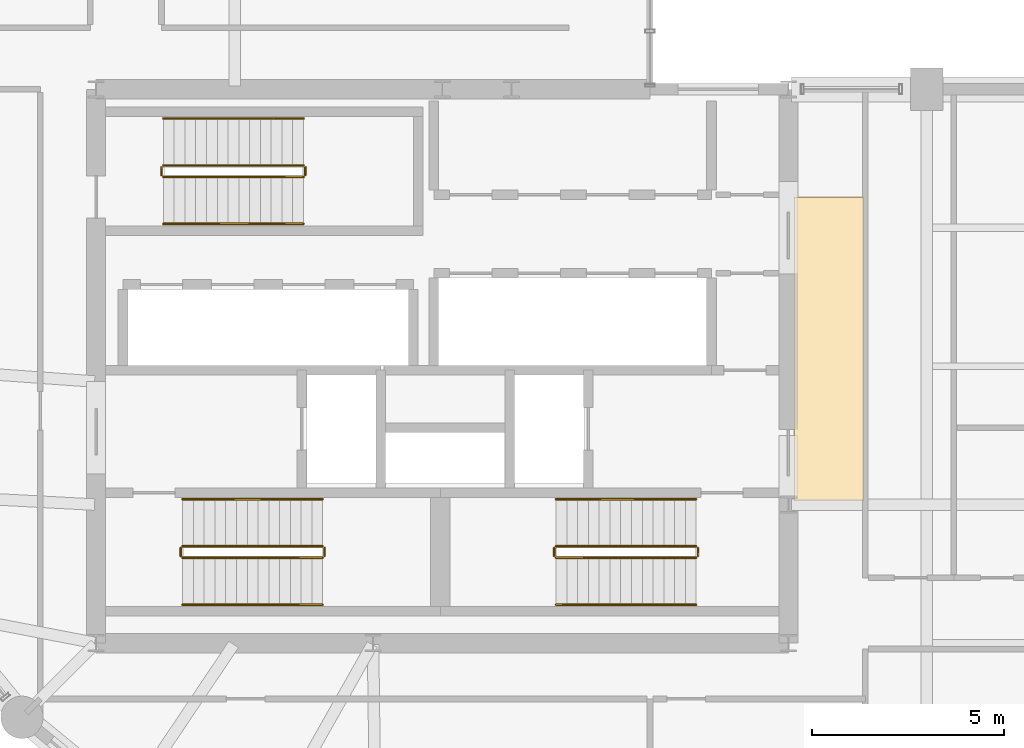
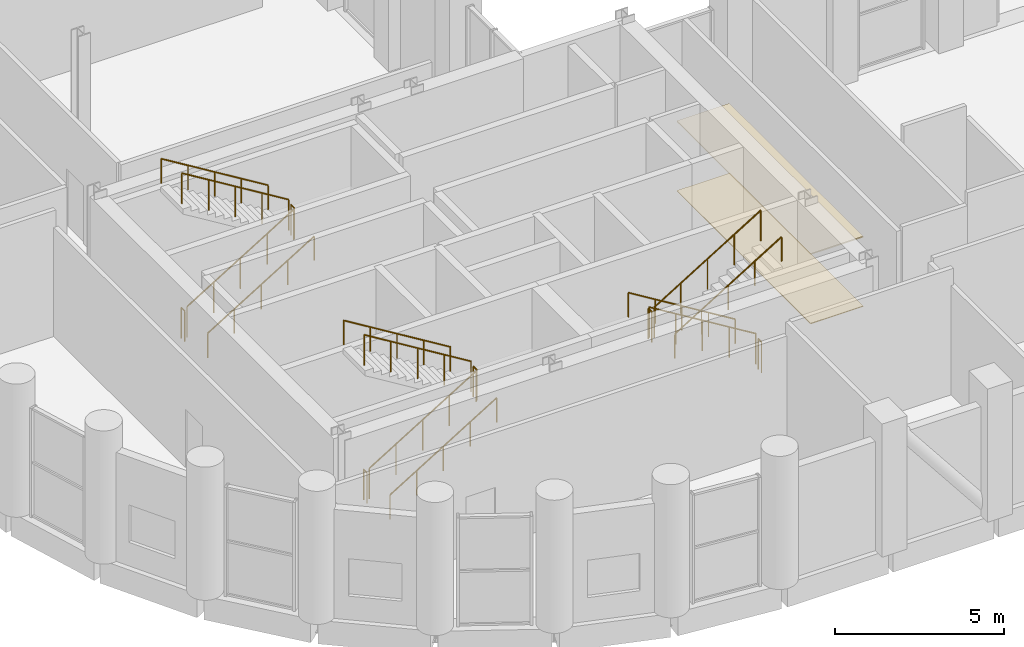
# One storey, part 22 of 22: 18 railings, 2 coverings.
"""IFC4 building model written with IfcOpenShell, lengths in metres."""

import ifcopenshell
import ifcopenshell.guid

model = None  # the IFC model being written
_history = None  # IfcOwnerHistory: only IFC2X3 demands one
_inside = {}  # id of a spatial element -> (the spatial element, [elements in it])
_under = {}  # id of a project, library or spatial element -> (it, [spatial elements below it])
_declared = {}  # id of a project -> (the project, [libraries it declares])
_typed = {}  # id of a type object -> (the type object, [elements of that type])
_made_of = {}  # id of a material, layer set ... -> (it, [elements and type objects made of it])


def new_model(schema):
    """Start an empty IFC model of exactly this schema.

    Asked for "IFC4X3", IfcOpenShell would pick the latest addendum, in which some entities
    have other attributes; the version numbers below select the first issue.
    IFC2X3 requires an IfcOwnerHistory on every rooted entity: one is made here for all.
    """
    global model, _history
    if schema == "IFC4X3":
        model = ifcopenshell.file(schema_version=(4, 3, 0, 0))
    else:
        model = ifcopenshell.file(schema=schema)
    _inside.clear()
    _under.clear()
    _declared.clear()
    _typed.clear()
    _made_of.clear()
    _history = None
    if model.schema == "IFC2X3":
        org = make("IfcOrganization", Name="unknown")
        user = make(
            "IfcPersonAndOrganization",
            ThePerson=make("IfcPerson", FamilyName="unknown"),
            TheOrganization=org,
        )
        app = make(
            "IfcApplication",
            ApplicationDeveloper=org,
            Version="unknown",
            ApplicationFullName="unknown",
            ApplicationIdentifier="unknown",
        )
        _history = make(
            "IfcOwnerHistory",
            OwningUser=user,
            OwningApplication=app,
            ChangeAction="ADDED",
            CreationDate=0,
        )
    return model


def make(cls, **values):
    """One entity of the class cls with the attributes given. An attribute that is None is left unset."""
    return model.create_entity(
        cls, **{name: value for name, value in values.items() if value is not None}
    )


def rooted(cls, **values):
    """An entity with a GlobalId (a new one), such as an element, a storey or a relation."""
    return make(cls, GlobalId=ifcopenshell.guid.new(), OwnerHistory=_history, **values)


def si_unit(unit_type, name, prefix=None):
    """IfcSIUnit, for example si_unit("LENGTHUNIT", "METRE", prefix="MILLI")."""
    return make("IfcSIUnit", UnitType=unit_type, Prefix=prefix, Name=name)


def assignment(units):
    """IfcUnitAssignment: the units of a project."""
    return None if units is None else make("IfcUnitAssignment", Units=units)


def point(xyz):
    """IfcCartesianPoint."""
    return None if xyz is None else make("IfcCartesianPoint", Coordinates=xyz)


def direction(xyz):
    """IfcDirection."""
    return None if xyz is None else make("IfcDirection", DirectionRatios=xyz)


def frame(location, z_axis=None, x_axis=None):
    """IfcAxis2Placement3D, a coordinate frame: its origin and axes. An axis left out is left unset."""
    return make(
        "IfcAxis2Placement3D",
        Location=point(location),
        Axis=direction(z_axis),
        RefDirection=direction(x_axis),
    )


def frame_2d(location, x_axis=None):
    """IfcAxis2Placement2D, a coordinate frame in the plane: its origin and x axis."""
    return make(
        "IfcAxis2Placement2D", Location=point(location), RefDirection=direction(x_axis)
    )


def origin():
    """The frame at (0, 0, 0) with its axes left unset."""
    return frame((0.0, 0.0, 0.0))


def origin_2d():
    """The frame at (0, 0) in the plane with its x axis left unset."""
    return frame_2d((0.0, 0.0))


def place(relative_to, where):
    """IfcLocalPlacement: puts the frame where relative to a parent placement (None: the world)."""
    return make(
        "IfcLocalPlacement", PlacementRelTo=relative_to, RelativePlacement=where
    )


def context(
    kind, dimensions, precision=None, world=None, true_north=None, identifier=None
):
    """IfcGeometricRepresentationContext, for example the 3D "Model" context."""
    return make(
        "IfcGeometricRepresentationContext",
        ContextIdentifier=identifier,
        ContextType=kind,
        CoordinateSpaceDimension=dimensions,
        Precision=precision,
        WorldCoordinateSystem=world,
        TrueNorth=true_north,
    )


def subcontext(parent, identifier, kind, view, scale=None):
    """IfcGeometricRepresentationSubContext, for example "Body" below "Model"."""
    return make(
        "IfcGeometricRepresentationSubContext",
        ContextIdentifier=identifier,
        ContextType=kind,
        ParentContext=parent,
        TargetScale=scale,
        TargetView=view,
    )


def project(units=None, contexts=None):
    """IfcProject with its units and contexts."""
    return rooted(
        "IfcProject",
        Name="project",
        RepresentationContexts=contexts,
        UnitsInContext=assignment(units),
    )


def spatial(cls, under=None, at=None, **own):
    """A site, building, storey or space (cls), placed at a placement, below another one or the project."""
    s = rooted(cls, ObjectPlacement=at, **own)
    if under is not None:
        _under.setdefault(under.id(), (under, []))[1].append(s)
    return s


def polyline(points):
    """IfcPolyline through the points."""
    return make("IfcPolyline", Points=[point(p) for p in points])


def profile(cls, at=None, kind="AREA", **sizes):
    """A parametric profile (cls). Its sizes go by their IFC names, for example OverallWidth=200.0."""
    return make(cls, ProfileType=kind, Position=at, **sizes)


def circle(**sizes):
    """IfcCircleProfileDef."""
    return profile("IfcCircleProfileDef", **sizes)


def outline(outer, holes=None, kind="AREA"):
    """IfcArbitraryClosedProfileDef: a profile drawn as a closed curve; with holes, ...WithVoids."""
    if holes is None:
        return make("IfcArbitraryClosedProfileDef", ProfileType=kind, OuterCurve=outer)
    return make(
        "IfcArbitraryProfileDefWithVoids",
        ProfileType=kind,
        OuterCurve=outer,
        InnerCurves=holes,
    )


def extrude(swept, where, along, depth):
    """IfcExtrudedAreaSolid: the profile swept, set in the frame where, extruded along a direction by depth."""
    return make(
        "IfcExtrudedAreaSolid",
        SweptArea=swept,
        Position=where,
        ExtrudedDirection=direction(along),
        Depth=depth,
    )


def shape(context_of_items, identifier, shape_type, items):
    """IfcShapeRepresentation: the items that make up one representation, for example the "Body"."""
    return make(
        "IfcShapeRepresentation",
        ContextOfItems=context_of_items,
        RepresentationIdentifier=identifier,
        RepresentationType=shape_type,
        Items=items,
    )


def material(Name=None, Category=None):
    """IfcMaterial."""
    return make("IfcMaterial", Name=Name, Category=Category)


def layer(
    of_material, thickness, ventilated=None, Name=None, Category=None, Priority=None
):
    """IfcMaterialLayer: one layer of a wall or slab, of a material (None: an air gap)."""
    return make(
        "IfcMaterialLayer",
        Material=of_material,
        LayerThickness=thickness,
        IsVentilated=ventilated,
        Name=Name,
        Category=Category,
        Priority=Priority,
    )


def layer_set(layers, Name=None):
    """IfcMaterialLayerSet."""
    return make("IfcMaterialLayerSet", MaterialLayers=layers, LayerSetName=Name)


def made_of(thing, what):
    """Note that an element or type object is made of a material, layer set ...; save() writes the relation."""
    if what is not None:
        _made_of.setdefault(what.id(), (what, []))[1].append(thing)
    return thing


def type_object(cls, material=None, **own):
    """A type object (cls), such as IfcWallType, which elements share."""
    return made_of(rooted(cls, **own), material)


def element(
    cls,
    number,
    at=None,
    inside=None,
    cuts=None,
    type_object=None,
    material=None,
    context=None,
    identifier="Body",
    shape_type=None,
    held_by="IfcProductDefinitionShape",
    body=None,
    shapes=None,
    **own,
):
    """One element of the class cls, such as IfcWall. Its Tag is "e" and its number.

    at: its placement. inside: the storey or other place that contains it. cuts: it is an
    opening in that element (IfcRelVoidsElement). A single representation is given by context,
    identifier, shape_type and body (its items); several are given by shapes. held_by: the class
    of the entity that holds the representations. save() writes the other relations.
    """
    e = rooted(cls, Tag="e%d" % number, ObjectPlacement=at, **own)
    if body is not None:
        shapes = [shape(context, identifier, shape_type, body)]
    if shapes is not None:
        e.Representation = make(held_by, Representations=shapes)
    if inside is not None:
        _inside.setdefault(inside.id(), (inside, []))[1].append(e)
    if cuts is not None:
        rooted(
            "IfcRelVoidsElement", RelatingBuildingElement=cuts, RelatedOpeningElement=e
        )
    if type_object is not None:
        _typed.setdefault(type_object.id(), (type_object, []))[1].append(e)
    return made_of(e, material)


def aggregate(whole, parts):
    """IfcRelAggregates: a whole, such as a stair, and the parts it consists of."""
    return rooted("IfcRelAggregates", RelatingObject=whole, RelatedObjects=parts)


def save(model, path):
    """Write the relations noted so far, then the file.

    IfcRelAggregates (storeys below a building ...), IfcRelContainedInSpatialStructure (elements
    in a storey), IfcRelDefinesByType, IfcRelAssociatesMaterial and IfcRelDeclares: one each for
    every whole, place, type object, material and project.
    """
    for whole, parts in _under.values():
        aggregate(whole, parts)
    for where, things in _inside.values():
        rooted(
            "IfcRelContainedInSpatialStructure",
            RelatedElements=things,
            RelatingStructure=where,
        )
    for kind, things in _typed.values():
        rooted("IfcRelDefinesByType", RelatedObjects=things, RelatingType=kind)
    for what, things in _made_of.values():
        rooted("IfcRelAssociatesMaterial", RelatedObjects=things, RelatingMaterial=what)
    for by, libraries in _declared.values():
        rooted("IfcRelDeclares", RelatingContext=by, RelatedDefinitions=libraries)
    model.write(path)


model = new_model("IFC4")

# Units and contexts
model_context = context("Model", 3, precision=1e-05, world=origin(), true_north=direction((0.0, 1.0)))
body_context = subcontext(model_context, "Body", "Model", "MODEL_VIEW")
ifc_project = project(units=[si_unit("LENGTHUNIT", "METRE"), si_unit("AREAUNIT", "SQUARE_METRE"), si_unit("VOLUMEUNIT", "CUBIC_METRE"), si_unit("PLANEANGLEUNIT", "RADIAN"), si_unit("MASSUNIT", "GRAM", prefix="KILO")], contexts=[model_context])

# Site, building, storey
site_placement = place(None, origin())
site = spatial("IfcSite", under=ifc_project, at=site_placement, CompositionType="ELEMENT")
building_placement = place(site_placement, origin())
building = spatial("IfcBuilding", under=site, at=building_placement, Name="Solnavia Interchange Tower", CompositionType="ELEMENT")
storey_placement = place(building_placement, frame((0.0, 0.0, 115.199951171875)))
storey = spatial("IfcBuildingStorey", under=building, at=storey_placement, Name="L28", CompositionType="ELEMENT", Elevation=115.199951171875)

# Coverings
ifc_material_1 = material(Name="Perforated Mineral-Fibre & Gypsum Ceiling", Category="gypsum")
ifc_layer_1 = layer(ifc_material_1, 0.0400390625)
ifc_layer_set_1 = layer_set([ifc_layer_1], Name="Perforated Mineral-Fibre & Gypsum Ceiling")
covering_type_1 = type_object("IfcCoveringType", Name="Covering-Ceiling-Acoustic40", PredefinedType="CEILING", material=ifc_layer_set_1)
covering_1_placement = place(storey_placement, frame((0.0, 0.0, 2.5)))
element("IfcCovering", 1, at=covering_1_placement, inside=storey, type_object=covering_type_1, Name="CLG-L28-01 Circulation suspended acoustic ceiling", PredefinedType="CEILING", context=body_context, shape_type="SweptSolid", body=[
    extrude(outline(polyline([(32.550048828125, 14.5), (34.35009765625, 14.5), (34.35009765625, 22.39990234375), (32.550048828125, 22.39990234375), (32.550048828125, 14.5)])), origin(), (0.0, 0.0, 1.0), 0.0400390625),
])
ifc_material_2 = material(Name="Polished Alicante Stone Terrazzo", Category="masonry")
ifc_layer_2 = layer(ifc_material_2, 0.02490234375)
ifc_layer_set_2 = layer_set([ifc_layer_2], Name="Polished Alicante Stone Terrazzo")
covering_type_2 = type_object("IfcCoveringType", Name="Covering-Flooring-Terrazzo25", PredefinedType="FLOORING", material=ifc_layer_set_2)
covering_2_placement = place(storey_placement, origin())
element("IfcCovering", 2, at=covering_2_placement, inside=storey, type_object=covering_type_2, Name="FLR-L28-01 Circulation floor finish", PredefinedType="FLOORING", context=body_context, shape_type="SweptSolid", body=[
    extrude(outline(polyline([(32.550048828125, 14.5), (34.35009765625, 14.5), (34.35009765625, 22.39990234375), (32.550048828125, 22.39990234375), (32.550048828125, 14.5)])), origin(), (0.0, 0.0, 1.0), 0.025146484375),
])

# Railings
ifc_material_3 = material(Name="Painted Steel Balustrade", Category="steel")
railing_type_1 = type_object("IfcRailingType", Name="Railing-StairGuard-1100", PredefinedType="GUARDRAIL", material=ifc_material_3)
railing_1_placement = place(storey_placement, frame((16.64990234375, 13.02001953125, 0.17138671875)))
element("IfcRailing", 3, at=railing_1_placement, inside=storey, type_object=railing_type_1, Name="L28 ST-1 stair guard 1", PredefinedType="GUARDRAIL", context=body_context, shape_type="SweptSolid", body=[
    extrude(circle(Radius=0.02392578125, at=origin_2d()), frame((0.0, 0.0, 1.09619140625), z_axis=(0.852840387347, 0.0, 0.522171689878), x_axis=(0.0, 1.0, 0.0)), (0.0, 0.0, 1.0), 4.268310546875),
    extrude(circle(Radius=0.02099609375, at=origin_2d()), origin(), (0.0, 0.0, 1.0), 1.072021484375),
    extrude(circle(Radius=0.02099609375, at=origin_2d()), frame((0.91015625, 0.0, 0.55712890625)), (0.0, 0.0, 1.0), 1.072021484375),
    extrude(circle(Radius=0.02099609375, at=origin_2d()), frame((1.820068359375, 0.0, 1.1142578125)), (0.0, 0.0, 1.0), 1.072021484375),
    extrude(circle(Radius=0.02099609375, at=origin_2d()), frame((2.72998046875, 0.0, 1.671630859375)), (0.0, 0.0, 1.0), 1.072021484375),
    extrude(circle(Radius=0.02099609375, at=origin_2d()), frame((3.64013671875, 0.0, 2.228759765625)), (0.0, 0.0, 1.0), 1.072021484375),
])
railing_2_placement = place(storey_placement, frame((20.340087890625, 13.070068359375, 2.400146484375)))
element("IfcRailing", 4, at=railing_2_placement, inside=storey, type_object=railing_type_1, Name="L28 ST-1 stair guard 2", PredefinedType="GUARDRAIL", context=body_context, shape_type="SweptSolid", body=[
    extrude(circle(Radius=0.02392578125, at=origin_2d()), frame((0.0, 0.0, 1.09619140625), z_axis=(0.0, 1.0, 0.0), x_axis=(-1.0, 0.0, 0.0)), (0.0, 0.0, 1.0), 0.199951171875),
    extrude(circle(Radius=0.02099609375, at=origin_2d()), origin(), (0.0, 0.0, 1.0), 1.072021484375),
    extrude(circle(Radius=0.02099609375, at=origin_2d()), frame((0.0, 0.199951171875, 0.0)), (0.0, 0.0, 1.0), 1.072021484375),
])
railing_3_placement = place(storey_placement, frame((20.2900390625, 13.320068359375, 2.571533203125)))
element("IfcRailing", 5, at=railing_3_placement, inside=storey, type_object=railing_type_1, Name="L28 ST-1 stair guard 3", PredefinedType="GUARDRAIL", context=body_context, shape_type="SweptSolid", body=[
    extrude(circle(Radius=0.02392578125, at=origin_2d()), frame((0.0, 0.0, 1.09619140625), z_axis=(-0.852865859571, 0.0, 0.52213008492), x_axis=(0.0, -1.0, 0.0)), (0.0, 0.0, 1.0), 4.26806640625),
    extrude(circle(Radius=0.02099609375, at=origin_2d()), origin(), (0.0, 0.0, 1.0), 1.072021484375),
    extrude(circle(Radius=0.02099609375, at=origin_2d()), frame((-0.91015625, 0.0, 0.55712890625)), (0.0, 0.0, 1.0), 1.072021484375),
    extrude(circle(Radius=0.02099609375, at=origin_2d()), frame((-1.820068359375, 0.0, 1.1142578125)), (0.0, 0.0, 1.0), 1.072021484375),
    extrude(circle(Radius=0.02099609375, at=origin_2d()), frame((-2.72998046875, 0.0, 1.67138671875)), (0.0, 0.0, 1.0), 1.072021484375),
    extrude(circle(Radius=0.02099609375, at=origin_2d()), frame((-3.64013671875, 0.0, 2.228515625)), (0.0, 0.0, 1.0), 1.072021484375),
])
railing_4_placement = place(storey_placement, frame((16.60009765625, 13.070068359375, 0.0)))
element("IfcRailing", 6, at=railing_4_placement, inside=storey, type_object=railing_type_1, Name="L28 ST-1 stair guard 4", PredefinedType="GUARDRAIL", context=body_context, shape_type="SweptSolid", body=[
    extrude(circle(Radius=0.02392578125, at=origin_2d()), frame((0.0, 0.0, 1.09619140625), z_axis=(0.0, 1.0, 0.0), x_axis=(-1.0, 0.0, 0.0)), (0.0, 0.0, 1.0), 0.199951171875),
    extrude(circle(Radius=0.02099609375, at=origin_2d()), origin(), (0.0, 0.0, 1.0), 1.072021484375),
    extrude(circle(Radius=0.02099609375, at=origin_2d()), frame((0.0, 0.199951171875, 0.0)), (0.0, 0.0, 1.0), 1.072021484375),
])
railing_5_placement = place(storey_placement, frame((30.0, 13.320068359375, 0.17138671875)))
element("IfcRailing", 7, at=railing_5_placement, inside=storey, type_object=railing_type_1, Name="L28 ST-2 stair guard 1", PredefinedType="GUARDRAIL", context=body_context, shape_type="SweptSolid", body=[
    extrude(circle(Radius=0.02392578125, at=origin_2d()), frame((0.0, 0.0, 1.09619140625), z_axis=(-0.852824790078, 0.0, 0.522197163366), x_axis=(0.0, -1.0, 0.0)), (0.0, 0.0, 1.0), 4.26806640625),
    extrude(circle(Radius=0.02099609375, at=origin_2d()), origin(), (0.0, 0.0, 1.0), 1.072021484375),
    extrude(circle(Radius=0.02099609375, at=origin_2d()), frame((-0.909912109375, 0.0, 0.55712890625)), (0.0, 0.0, 1.0), 1.072021484375),
    extrude(circle(Radius=0.02099609375, at=origin_2d()), frame((-1.81982421875, 0.0, 1.1142578125)), (0.0, 0.0, 1.0), 1.072021484375),
    extrude(circle(Radius=0.02099609375, at=origin_2d()), frame((-2.72998046875, 0.0, 1.671630859375)), (0.0, 0.0, 1.0), 1.072021484375),
    extrude(circle(Radius=0.02099609375, at=origin_2d()), frame((-3.639892578125, 0.0, 2.228759765625)), (0.0, 0.0, 1.0), 1.072021484375),
])
railing_6_placement = place(storey_placement, frame((26.31005859375, 13.27001953125, 2.400146484375)))
element("IfcRailing", 8, at=railing_6_placement, inside=storey, type_object=railing_type_1, Name="L28 ST-2 stair guard 2", PredefinedType="GUARDRAIL", context=body_context, shape_type="SweptSolid", body=[
    extrude(circle(Radius=0.02392578125, at=origin_2d()), frame((0.0, 0.0, 1.09619140625), z_axis=(0.0, -1.0, 0.0), x_axis=(1.0, 0.0, 0.0)), (0.0, 0.0, 1.0), 0.199951171875),
    extrude(circle(Radius=0.02099609375, at=origin_2d()), origin(), (0.0, 0.0, 1.0), 1.072021484375),
    extrude(circle(Radius=0.02099609375, at=origin_2d()), frame((0.0, -0.199951171875, 0.0)), (0.0, 0.0, 1.0), 1.072021484375),
])
railing_7_placement = place(storey_placement, frame((26.360107421875, 13.02001953125, 2.571533203125)))
element("IfcRailing", 9, at=railing_7_placement, inside=storey, type_object=railing_type_1, Name="L28 ST-2 stair guard 3", PredefinedType="GUARDRAIL", context=body_context, shape_type="SweptSolid", body=[
    extrude(circle(Radius=0.02392578125, at=origin_2d()), frame((0.0, 0.0, 1.09619140625), z_axis=(0.852850264322, 0.0, 0.5221555579), x_axis=(0.0, 1.0, 0.0)), (0.0, 0.0, 1.0), 4.267822265625),
    extrude(circle(Radius=0.02099609375, at=origin_2d()), origin(), (0.0, 0.0, 1.0), 1.072021484375),
    extrude(circle(Radius=0.02099609375, at=origin_2d()), frame((0.909912109375, 0.0, 0.55712890625)), (0.0, 0.0, 1.0), 1.072021484375),
    extrude(circle(Radius=0.02099609375, at=origin_2d()), frame((1.81982421875, 0.0, 1.1142578125)), (0.0, 0.0, 1.0), 1.072021484375),
    extrude(circle(Radius=0.02099609375, at=origin_2d()), frame((2.72998046875, 0.0, 1.67138671875)), (0.0, 0.0, 1.0), 1.072021484375),
    extrude(circle(Radius=0.02099609375, at=origin_2d()), frame((3.639892578125, 0.0, 2.228515625)), (0.0, 0.0, 1.0), 1.072021484375),
])
railing_8_placement = place(storey_placement, frame((30.050048828125, 13.27001953125, 0.0)))
element("IfcRailing", 10, at=railing_8_placement, inside=storey, type_object=railing_type_1, Name="L28 ST-2 stair guard 4", PredefinedType="GUARDRAIL", context=body_context, shape_type="SweptSolid", body=[
    extrude(circle(Radius=0.02392578125, at=origin_2d()), frame((0.0, 0.0, 1.09619140625), z_axis=(0.0, -1.0, 0.0), x_axis=(1.0, 0.0, 0.0)), (0.0, 0.0, 1.0), 0.199951171875),
    extrude(circle(Radius=0.02099609375, at=origin_2d()), origin(), (0.0, 0.0, 1.0), 1.072021484375),
    extrude(circle(Radius=0.02099609375, at=origin_2d()), frame((0.0, -0.199951171875, 0.0)), (0.0, 0.0, 1.0), 1.072021484375),
])
railing_9_placement = place(storey_placement, frame((16.14990234375, 22.919921875, 0.17138671875)))
element("IfcRailing", 11, at=railing_9_placement, inside=storey, type_object=railing_type_1, Name="L28 ST-3 stair guard 1", PredefinedType="GUARDRAIL", context=body_context, shape_type="SweptSolid", body=[
    extrude(circle(Radius=0.02392578125, at=origin_2d()), frame((0.0, 0.0, 1.09619140625), z_axis=(0.852840387347, 0.0, 0.522171689878), x_axis=(0.0, 1.0, 0.0)), (0.0, 0.0, 1.0), 4.268310546875),
    extrude(circle(Radius=0.02099609375, at=origin_2d()), origin(), (0.0, 0.0, 1.0), 1.072021484375),
    extrude(circle(Radius=0.02099609375, at=origin_2d()), frame((0.91015625, 0.0, 0.55712890625)), (0.0, 0.0, 1.0), 1.072021484375),
    extrude(circle(Radius=0.02099609375, at=origin_2d()), frame((1.820068359375, 0.0, 1.1142578125)), (0.0, 0.0, 1.0), 1.072021484375),
    extrude(circle(Radius=0.02099609375, at=origin_2d()), frame((2.72998046875, 0.0, 1.671630859375)), (0.0, 0.0, 1.0), 1.072021484375),
    extrude(circle(Radius=0.02099609375, at=origin_2d()), frame((3.64013671875, 0.0, 2.228759765625)), (0.0, 0.0, 1.0), 1.072021484375),
])
railing_10_placement = place(storey_placement, frame((19.840087890625, 22.969970703125, 2.400146484375)))
element("IfcRailing", 12, at=railing_10_placement, inside=storey, type_object=railing_type_1, Name="L28 ST-3 stair guard 2", PredefinedType="GUARDRAIL", context=body_context, shape_type="SweptSolid", body=[
    extrude(circle(Radius=0.02392578125, at=origin_2d()), frame((0.0, 0.0, 1.09619140625), z_axis=(0.0, 1.0, 0.0), x_axis=(-1.0, 0.0, 0.0)), (0.0, 0.0, 1.0), 0.199951171875),
    extrude(circle(Radius=0.02099609375, at=origin_2d()), origin(), (0.0, 0.0, 1.0), 1.072021484375),
    extrude(circle(Radius=0.02099609375, at=origin_2d()), frame((0.0, 0.199951171875, 0.0)), (0.0, 0.0, 1.0), 1.072021484375),
])
railing_11_placement = place(storey_placement, frame((19.7900390625, 23.219970703125, 2.571533203125)))
element("IfcRailing", 13, at=railing_11_placement, inside=storey, type_object=railing_type_1, Name="L28 ST-3 stair guard 3", PredefinedType="GUARDRAIL", context=body_context, shape_type="SweptSolid", body=[
    extrude(circle(Radius=0.02392578125, at=origin_2d()), frame((0.0, 0.0, 1.09619140625), z_axis=(-0.852865859571, 0.0, 0.52213008492), x_axis=(0.0, -1.0, 0.0)), (0.0, 0.0, 1.0), 4.26806640625),
    extrude(circle(Radius=0.02099609375, at=origin_2d()), origin(), (0.0, 0.0, 1.0), 1.072021484375),
    extrude(circle(Radius=0.02099609375, at=origin_2d()), frame((-0.91015625, 0.0, 0.55712890625)), (0.0, 0.0, 1.0), 1.072021484375),
    extrude(circle(Radius=0.02099609375, at=origin_2d()), frame((-1.820068359375, 0.0, 1.1142578125)), (0.0, 0.0, 1.0), 1.072021484375),
    extrude(circle(Radius=0.02099609375, at=origin_2d()), frame((-2.72998046875, 0.0, 1.67138671875)), (0.0, 0.0, 1.0), 1.072021484375),
    extrude(circle(Radius=0.02099609375, at=origin_2d()), frame((-3.64013671875, 0.0, 2.228515625)), (0.0, 0.0, 1.0), 1.072021484375),
])
railing_12_placement = place(storey_placement, frame((16.10009765625, 22.969970703125, 0.0)))
element("IfcRailing", 14, at=railing_12_placement, inside=storey, type_object=railing_type_1, Name="L28 ST-3 stair guard 4", PredefinedType="GUARDRAIL", context=body_context, shape_type="SweptSolid", body=[
    extrude(circle(Radius=0.02392578125, at=origin_2d()), frame((0.0, 0.0, 1.09619140625), z_axis=(0.0, 1.0, 0.0), x_axis=(-1.0, 0.0, 0.0)), (0.0, 0.0, 1.0), 0.199951171875),
    extrude(circle(Radius=0.02099609375, at=origin_2d()), origin(), (0.0, 0.0, 1.0), 1.072021484375),
    extrude(circle(Radius=0.02099609375, at=origin_2d()), frame((0.0, 0.199951171875, 0.0)), (0.0, 0.0, 1.0), 1.072021484375),
])
ifc_material_4 = material(Name="Brushed Stainless Steel", Category="steel")
railing_type_2 = type_object("IfcRailingType", Name="Railing-StairHandrail-900", PredefinedType="HANDRAIL", material=ifc_material_4)
railing_13_placement = place(storey_placement, frame((16.64990234375, 11.800048828125, 0.17138671875)))
element("IfcRailing", 15, at=railing_13_placement, inside=storey, type_object=railing_type_2, Name="L28 ST-1 stair handrail 1", PredefinedType="HANDRAIL", context=body_context, shape_type="SweptSolid", body=[
    extrude(circle(Radius=0.02392578125, at=origin_2d()), frame((0.0, 0.0, 0.8759765625), z_axis=(0.852840387347, 0.0, 0.522171689878), x_axis=(0.0, 1.0, 0.0)), (0.0, 0.0, 1.0), 4.268310546875),
    extrude(circle(Radius=0.02099609375, at=origin_2d()), origin(), (0.0, 0.0, 1.0), 0.851806640625),
    extrude(circle(Radius=0.02099609375, at=origin_2d()), frame((0.91015625, 0.0, 0.55712890625)), (0.0, 0.0, 1.0), 0.851806640625),
    extrude(circle(Radius=0.02099609375, at=origin_2d()), frame((1.820068359375, 0.0, 1.1142578125)), (0.0, 0.0, 1.0), 0.851806640625),
    extrude(circle(Radius=0.02099609375, at=origin_2d()), frame((2.72998046875, 0.0, 1.671630859375)), (0.0, 0.0, 1.0), 0.851806640625),
    extrude(circle(Radius=0.02099609375, at=origin_2d()), frame((3.64013671875, 0.0, 2.228759765625)), (0.0, 0.0, 1.0), 0.851806640625),
])
railing_14_placement = place(storey_placement, frame((20.2900390625, 14.5400390625, 2.571533203125)))
element("IfcRailing", 16, at=railing_14_placement, inside=storey, type_object=railing_type_2, Name="L28 ST-1 stair handrail 2", PredefinedType="HANDRAIL", context=body_context, shape_type="SweptSolid", body=[
    extrude(circle(Radius=0.02392578125, at=origin_2d()), frame((0.0, 0.0, 0.8759765625), z_axis=(-0.852865859571, 0.0, 0.52213008492), x_axis=(0.0, -1.0, 0.0)), (0.0, 0.0, 1.0), 4.26806640625),
    extrude(circle(Radius=0.02099609375, at=origin_2d()), origin(), (0.0, 0.0, 1.0), 0.851806640625),
    extrude(circle(Radius=0.02099609375, at=origin_2d()), frame((-0.91015625, 0.0, 0.55712890625)), (0.0, 0.0, 1.0), 0.851806640625),
    extrude(circle(Radius=0.02099609375, at=origin_2d()), frame((-1.820068359375, 0.0, 1.1142578125)), (0.0, 0.0, 1.0), 0.851806640625),
    extrude(circle(Radius=0.02099609375, at=origin_2d()), frame((-2.72998046875, 0.0, 1.67138671875)), (0.0, 0.0, 1.0), 0.851806640625),
    extrude(circle(Radius=0.02099609375, at=origin_2d()), frame((-3.64013671875, 0.0, 2.228515625)), (0.0, 0.0, 1.0), 0.851806640625),
])
railing_15_placement = place(storey_placement, frame((30.0, 14.5400390625, 0.17138671875)))
element("IfcRailing", 17, at=railing_15_placement, inside=storey, type_object=railing_type_2, Name="L28 ST-2 stair handrail 1", PredefinedType="HANDRAIL", context=body_context, shape_type="SweptSolid", body=[
    extrude(circle(Radius=0.02392578125, at=origin_2d()), frame((0.0, 0.0, 0.8759765625), z_axis=(-0.852824790078, 0.0, 0.522197163366), x_axis=(0.0, -1.0, 0.0)), (0.0, 0.0, 1.0), 4.26806640625),
    extrude(circle(Radius=0.02099609375, at=origin_2d()), origin(), (0.0, 0.0, 1.0), 0.851806640625),
    extrude(circle(Radius=0.02099609375, at=origin_2d()), frame((-0.909912109375, 0.0, 0.55712890625)), (0.0, 0.0, 1.0), 0.851806640625),
    extrude(circle(Radius=0.02099609375, at=origin_2d()), frame((-1.81982421875, 0.0, 1.1142578125)), (0.0, 0.0, 1.0), 0.851806640625),
    extrude(circle(Radius=0.02099609375, at=origin_2d()), frame((-2.72998046875, 0.0, 1.671630859375)), (0.0, 0.0, 1.0), 0.851806640625),
    extrude(circle(Radius=0.02099609375, at=origin_2d()), frame((-3.639892578125, 0.0, 2.228759765625)), (0.0, 0.0, 1.0), 0.851806640625),
])
railing_16_placement = place(storey_placement, frame((26.360107421875, 11.800048828125, 2.571533203125)))
element("IfcRailing", 18, at=railing_16_placement, inside=storey, type_object=railing_type_2, Name="L28 ST-2 stair handrail 2", PredefinedType="HANDRAIL", context=body_context, shape_type="SweptSolid", body=[
    extrude(circle(Radius=0.02392578125, at=origin_2d()), frame((0.0, 0.0, 0.8759765625), z_axis=(0.852850264322, 0.0, 0.5221555579), x_axis=(0.0, 1.0, 0.0)), (0.0, 0.0, 1.0), 4.267822265625),
    extrude(circle(Radius=0.02099609375, at=origin_2d()), origin(), (0.0, 0.0, 1.0), 0.851806640625),
    extrude(circle(Radius=0.02099609375, at=origin_2d()), frame((0.909912109375, 0.0, 0.55712890625)), (0.0, 0.0, 1.0), 0.851806640625),
    extrude(circle(Radius=0.02099609375, at=origin_2d()), frame((1.81982421875, 0.0, 1.1142578125)), (0.0, 0.0, 1.0), 0.851806640625),
    extrude(circle(Radius=0.02099609375, at=origin_2d()), frame((2.72998046875, 0.0, 1.67138671875)), (0.0, 0.0, 1.0), 0.851806640625),
    extrude(circle(Radius=0.02099609375, at=origin_2d()), frame((3.639892578125, 0.0, 2.228515625)), (0.0, 0.0, 1.0), 0.851806640625),
])
railing_17_placement = place(storey_placement, frame((16.14990234375, 21.699951171875, 0.17138671875)))
element("IfcRailing", 19, at=railing_17_placement, inside=storey, type_object=railing_type_2, Name="L28 ST-3 stair handrail 1", PredefinedType="HANDRAIL", context=body_context, shape_type="SweptSolid", body=[
    extrude(circle(Radius=0.02392578125, at=origin_2d()), frame((0.0, 0.0, 0.8759765625), z_axis=(0.852840387347, 0.0, 0.522171689878), x_axis=(0.0, 1.0, 0.0)), (0.0, 0.0, 1.0), 4.268310546875),
    extrude(circle(Radius=0.02099609375, at=origin_2d()), origin(), (0.0, 0.0, 1.0), 0.851806640625),
    extrude(circle(Radius=0.02099609375, at=origin_2d()), frame((0.91015625, 0.0, 0.55712890625)), (0.0, 0.0, 1.0), 0.851806640625),
    extrude(circle(Radius=0.02099609375, at=origin_2d()), frame((1.820068359375, 0.0, 1.1142578125)), (0.0, 0.0, 1.0), 0.851806640625),
    extrude(circle(Radius=0.02099609375, at=origin_2d()), frame((2.72998046875, 0.0, 1.671630859375)), (0.0, 0.0, 1.0), 0.851806640625),
    extrude(circle(Radius=0.02099609375, at=origin_2d()), frame((3.64013671875, 0.0, 2.228759765625)), (0.0, 0.0, 1.0), 0.851806640625),
])
railing_18_placement = place(storey_placement, frame((19.7900390625, 24.43994140625, 2.571533203125)))
element("IfcRailing", 20, at=railing_18_placement, inside=storey, type_object=railing_type_2, Name="L28 ST-3 stair handrail 2", PredefinedType="HANDRAIL", context=body_context, shape_type="SweptSolid", body=[
    extrude(circle(Radius=0.02392578125, at=origin_2d()), frame((0.0, 0.0, 0.8759765625), z_axis=(-0.852865859571, 0.0, 0.52213008492), x_axis=(0.0, -1.0, 0.0)), (0.0, 0.0, 1.0), 4.26806640625),
    extrude(circle(Radius=0.02099609375, at=origin_2d()), origin(), (0.0, 0.0, 1.0), 0.851806640625),
    extrude(circle(Radius=0.02099609375, at=origin_2d()), frame((-0.91015625, 0.0, 0.55712890625)), (0.0, 0.0, 1.0), 0.851806640625),
    extrude(circle(Radius=0.02099609375, at=origin_2d()), frame((-1.820068359375, 0.0, 1.1142578125)), (0.0, 0.0, 1.0), 0.851806640625),
    extrude(circle(Radius=0.02099609375, at=origin_2d()), frame((-2.72998046875, 0.0, 1.67138671875)), (0.0, 0.0, 1.0), 0.851806640625),
    extrude(circle(Radius=0.02099609375, at=origin_2d()), frame((-3.64013671875, 0.0, 2.228515625)), (0.0, 0.0, 1.0), 0.851806640625),
])

save(model, "model.ifc")
